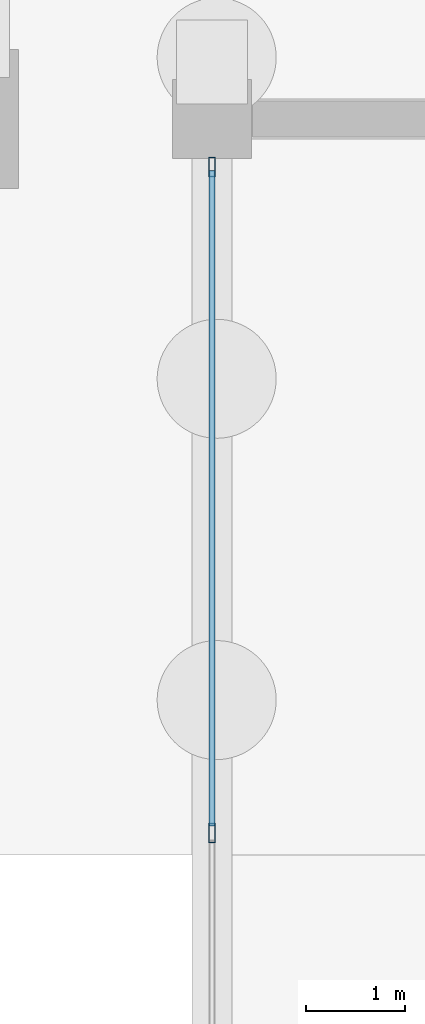
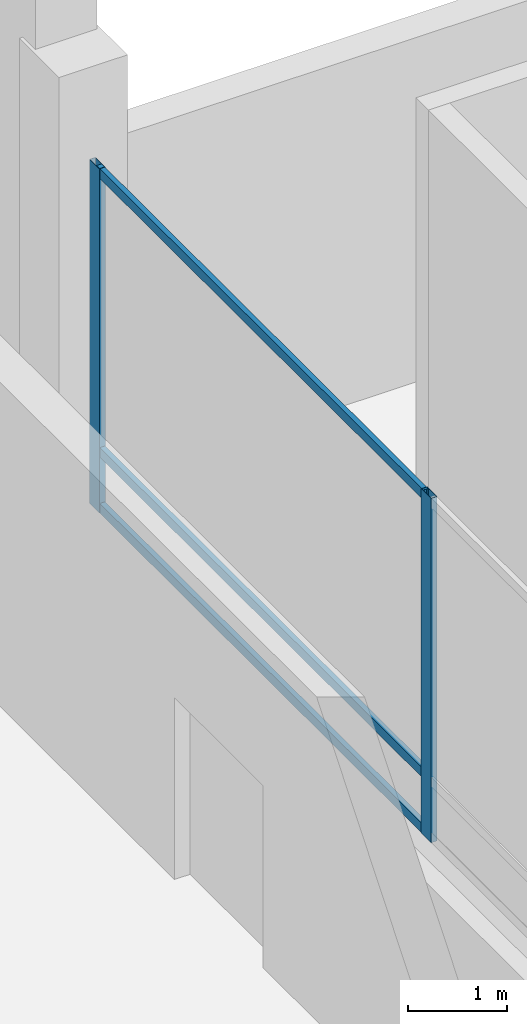
# One storey, part 120 of 192: 5 members, 1 element without a shape of its own.
"""IFC4 building model written with IfcOpenShell, lengths in metres."""

from ifc_helpers import new_model, si_unit, direction, frame, origin, origin_2d, place, context, subcontext, project, spatial, hollow_rectangle, extrude, material, material_profile, profile_set, type_object, element, aggregate, save


model = new_model("IFC4")

# Units and contexts
model_context = context("Model", 3, precision=1e-05, world=origin(), true_north=direction((0.0, 1.0)))
body_context = subcontext(model_context, "Body", "Model", "MODEL_VIEW")
ifc_project = project(units=[si_unit("LENGTHUNIT", "METRE"), si_unit("AREAUNIT", "SQUARE_METRE"), si_unit("VOLUMEUNIT", "CUBIC_METRE"), si_unit("PLANEANGLEUNIT", "RADIAN"), si_unit("MASSUNIT", "GRAM", prefix="KILO")], contexts=[model_context])

# Site, building, storey
site_placement = place(None, origin())
site = spatial("IfcSite", under=ifc_project, at=site_placement, CompositionType="ELEMENT")
building_placement = place(site_placement, origin())
building = spatial("IfcBuilding", under=site, at=building_placement, Name="Cendralis Lancet Convention Centre", CompositionType="ELEMENT")
storey_placement = place(building_placement, origin())
storey = spatial("IfcBuildingStorey", under=building, at=storey_placement, Name="L00", CompositionType="ELEMENT", Elevation=0.0)

# Curtain wall, members
ifc_material = material(Name="Anodised bronze architectural aluminium", Category="aluminium")
curtain_wall_type = type_object("IfcCurtainWallType", Name="ARC-CW-BL01", PredefinedType="USERDEFINED", material=ifc_material)
curtain_wall_placement = place(storey_placement, origin())
curtain_wall = element("IfcCurtainWall", 1, at=curtain_wall_placement, inside=storey, type_object=curtain_wall_type, Name="L00 Curtain Wall CW-BL1 #146", ObjectType="CURTAIN WALL", PredefinedType="USERDEFINED")
ifc_material_profile_1 = material_profile(ifc_material, hollow_rectangle(XDim=0.070068359375, YDim=0.199951171875, WallThickness=0.0048828125, at=origin_2d()), Name="AL-MULL 70x200x5.0")
ifc_profile_set_1 = profile_set([ifc_material_profile_1], Name="Anodised bronze architectural aluminium")
member_type_1 = type_object("IfcMemberType", Name="ARC-CW-ML02", PredefinedType="MULLION", material=ifc_profile_set_1)
member_1_placement = place(storey_placement, frame((124.800048828125, 129.60009765625, 0.0), z_axis=(0.0, 0.0, 1.0), x_axis=(1.0, 0.0, 0.0)))
member_1 = element("IfcMember", 2, at=member_1_placement, type_object=member_type_1, Name="Mullion CW2-CW-BL1-L00-146-M1", PredefinedType="MULLION", context=body_context, shape_type="SweptSolid", body=[
    extrude(hollow_rectangle(XDim=0.070068359375, YDim=0.199951171875, WallThickness=0.0048828125, at=origin_2d()), origin(), (0.0, 0.0, 1.0), 4.2548828125),
])
member_2_placement = place(storey_placement, frame((124.800048828125, 136.31494140625, 0.0), z_axis=(0.0, 0.0, 1.0), x_axis=(1.0, 0.0, 0.0)))
member_2 = element("IfcMember", 3, at=member_2_placement, type_object=member_type_1, Name="Mullion CW2-CW-BL1-L00-146-M2", PredefinedType="MULLION", context=body_context, shape_type="SweptSolid", body=[
    extrude(hollow_rectangle(XDim=0.070068359375, YDim=0.199951171875, WallThickness=0.0048828125, at=origin_2d()), origin(), (0.0, 0.0, 1.0), 4.2548828125),
])
ifc_material_profile_2 = material_profile(ifc_material, hollow_rectangle(XDim=0.06005859375, YDim=0.1201171875, WallThickness=0.00390625, at=origin_2d()), Name="AL-TRAN 60x120x4.0")
ifc_profile_set_2 = profile_set([ifc_material_profile_2], Name="Anodised bronze architectural aluminium")
member_type_2 = type_object("IfcMemberType", Name="ARC-CW-TR01", PredefinedType="USERDEFINED", material=ifc_profile_set_2)
member_3_placement = place(storey_placement, frame((124.800048828125, 129.669921875, 0.06005859375), z_axis=(0.0, 1.0, 0.0), x_axis=(-1.0, 0.0, 0.0)))
member_3 = element("IfcMember", 4, at=member_3_placement, type_object=member_type_2, Name="Transom CW2-CW-BL1-L00-146-T1BOT", ObjectType="TRANSOM", PredefinedType="USERDEFINED", context=body_context, shape_type="SweptSolid", body=[
    extrude(hollow_rectangle(XDim=0.06005859375, YDim=0.1201171875, WallThickness=0.00390625, at=origin_2d()), origin(), (0.0, 0.0, 1.0), 6.610107421875),
])
member_4_placement = place(storey_placement, frame((124.800048828125, 129.669921875, 0.75), z_axis=(0.0, 1.0, 0.0), x_axis=(-1.0, 0.0, 0.0)))
member_4 = element("IfcMember", 5, at=member_4_placement, type_object=member_type_2, Name="Transom CW2-CW-BL1-L00-146-T1MID", ObjectType="TRANSOM", PredefinedType="USERDEFINED", context=body_context, shape_type="SweptSolid", body=[
    extrude(hollow_rectangle(XDim=0.06005859375, YDim=0.1201171875, WallThickness=0.00390625, at=origin_2d()), origin(), (0.0, 0.0, 1.0), 6.610107421875),
])
member_5_placement = place(storey_placement, frame((124.800048828125, 129.669921875, 4.195068359375), z_axis=(0.0, 1.0, 0.0), x_axis=(-1.0, 0.0, 0.0)))
member_5 = element("IfcMember", 6, at=member_5_placement, type_object=member_type_2, Name="Transom CW2-CW-BL1-L00-146-T1TOP", ObjectType="TRANSOM", PredefinedType="USERDEFINED", context=body_context, shape_type="SweptSolid", body=[
    extrude(hollow_rectangle(XDim=0.06005859375, YDim=0.1201171875, WallThickness=0.00390625, at=origin_2d()), origin(), (0.0, 0.0, 1.0), 6.610107421875),
])
aggregate(curtain_wall, [member_1, member_2, member_3, member_4, member_5])

save(model, "model.ifc")
